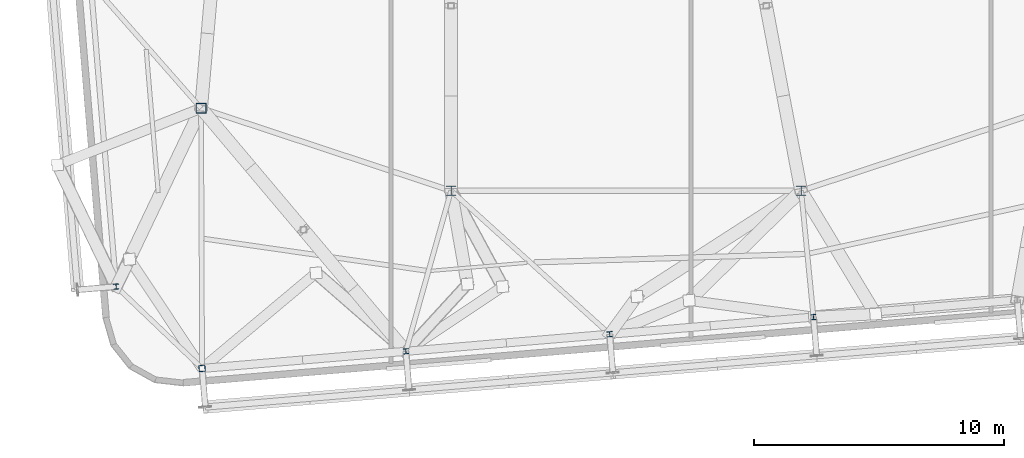
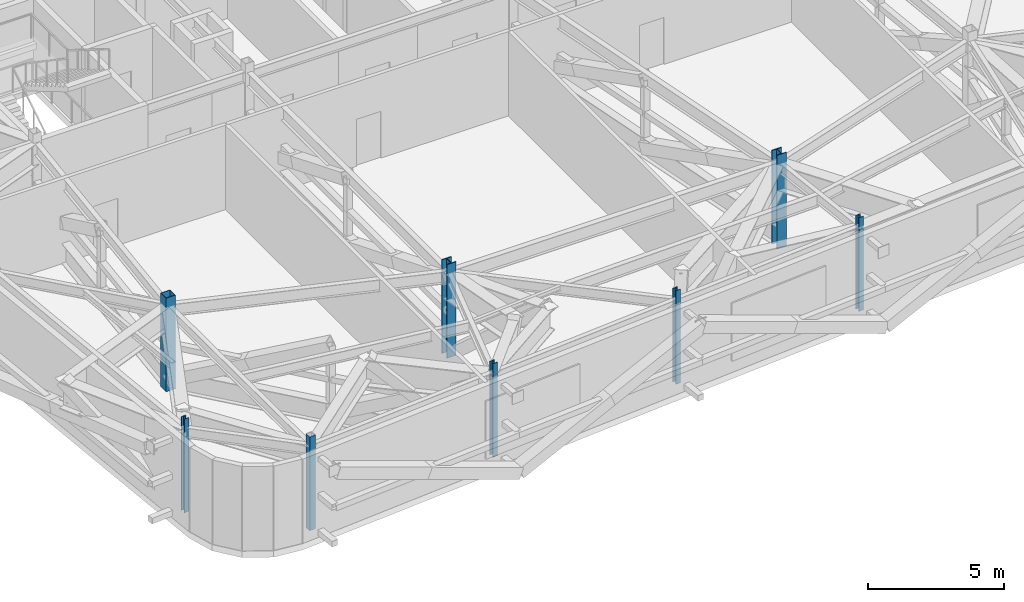
# One storey, part 1 of 26: 8 columns.
"""IFC4 building model written with IfcOpenShell, lengths in metres."""

from ifc_helpers import new_model, si_unit, direction, frame, origin, origin_2d, place, context, subcontext, project, spatial, hollow_rectangle, i_section, extrude, source, transform, mapped, material, material_profile, profile_set, type_object, element, save


model = new_model("IFC4")

# Units and contexts
model_context = context("Model", 3, precision=1e-05, world=origin(), true_north=direction((0.0, 1.0)))
body_context = subcontext(model_context, "Body", "Model", "MODEL_VIEW")
ifc_project = project(units=[si_unit("LENGTHUNIT", "METRE"), si_unit("AREAUNIT", "SQUARE_METRE"), si_unit("VOLUMEUNIT", "CUBIC_METRE"), si_unit("PLANEANGLEUNIT", "RADIAN"), si_unit("MASSUNIT", "GRAM", prefix="KILO")], contexts=[model_context])

# Site, building, storey
site_placement = place(None, origin())
site = spatial("IfcSite", under=ifc_project, at=site_placement, CompositionType="ELEMENT")
building_placement = place(site_placement, origin())
building = spatial("IfcBuilding", under=site, at=building_placement, Name="Taldren Reach Tower", CompositionType="ELEMENT")
storey_placement = place(building_placement, frame((0.0, 0.0, 207.199951171875)))
storey = spatial("IfcBuildingStorey", under=building, at=storey_placement, Name="L63", CompositionType="ELEMENT", Elevation=207.199951171875)

# Columns
ifc_material_1 = material(Name="Steel Gr 450 (C450L0)", Category="steel")
ifc_material_profile_1 = material_profile(ifc_material_1, hollow_rectangle(XDim=0.39990234375, YDim=0.39990234375, WallThickness=0.01611328125, at=origin_2d()), Name="400x400x16.0SHS")
ifc_profile_set_1 = profile_set([ifc_material_profile_1], Name="Steel Gr 450 (C450L0)")
column_type_1 = type_object("IfcColumnType", Name="COL-SHS400", PredefinedType="COLUMN", material=ifc_profile_set_1)
shared_shape_1 = source(origin(), body_context, "Body", "SweptSolid", [
    extrude(hollow_rectangle(XDim=0.39990234375, YDim=0.39990234375, WallThickness=0.01611328125, at=origin_2d()), origin(), (0.0, 0.0, 1.0), 4.199951171875),
])
column_1_placement = place(storey_placement, frame((18.0, 12.5, 0.0), z_axis=(0.0, 0.0, 1.0), x_axis=(1.0, 0.0, 0.0)))
element("IfcColumn", 1, at=column_1_placement, inside=storey, type_object=column_type_1, Name="Mega column MC-SW L63", PredefinedType="COLUMN", context=body_context, shape_type="MappedRepresentation", body=[
    mapped(shared_shape_1, transform((0.0, 0.0, 0.0), scale=1.0)),
])
ifc_material_2 = material(Name="Steel Gr 350 (350PLUS)", Category="steel")
ifc_material_profile_2 = material_profile(ifc_material_2, i_section(OverallWidth=0.39990234375, OverallDepth=0.39599609375, WebThickness=0.02197265625, FlangeThickness=0.033935546875, at=origin_2d()), Name="400WC270")
ifc_profile_set_2 = profile_set([ifc_material_profile_2], Name="Steel Gr 350 (350PLUS)")
column_type_2 = type_object("IfcColumnType", Name="COL-WC400", PredefinedType="COLUMN", material=ifc_profile_set_2)
shared_shape_2 = source(origin(), body_context, "Body", "SweptSolid", [
    extrude(i_section(OverallWidth=0.39990234375, OverallDepth=0.39599609375, WebThickness=0.02197265625, FlangeThickness=0.033935546875, at=origin_2d()), origin(), (0.0, 0.0, 1.0), 4.199951171875),
])
for number, where, z_axis, x_axis, name in (
    (2, (28.0, 9.199951171875, 0.0), (0.0, 0.0, 1.0), (1.0, 0.0, 0.0), "Mega column MC-PJW L63"),
    (3, (42.0, 9.199951171875, 0.0), (0.0, 0.0, 1.0), (1.0, 0.0, 0.0), "Mega column MC-PJE L63"),
):
    element("IfcColumn", number, at=place(storey_placement, frame(where, z_axis=z_axis, x_axis=x_axis)), inside=storey, type_object=column_type_2, Name=name, PredefinedType="COLUMN", context=body_context, shape_type="MappedRepresentation", body=[
        mapped(shared_shape_2, transform((0.0, 0.0, 0.0), scale=1.0)),
    ])
ifc_material_3 = material(Name="Steel Gr 350 (C350L0)", Category="steel")
ifc_material_profile_3 = material_profile(ifc_material_3, hollow_rectangle(XDim=0.25, YDim=0.25, WallThickness=0.010009765625, at=origin_2d()), Name="250x250x10.0SHS")
ifc_profile_set_3 = profile_set([ifc_material_profile_3], Name="Steel Gr 350 (C350L0)")
column_type_3 = type_object("IfcColumnType", Name="COL-SHS250", PredefinedType="COLUMN", material=ifc_profile_set_3)
shared_shape_3 = source(origin(), body_context, "Body", "SweptSolid", [
    extrude(hollow_rectangle(XDim=0.25, YDim=0.25, WallThickness=0.010009765625, at=origin_2d()), origin(), (0.0, 0.0, 1.0), 4.199951171875),
])
column_2_placement = place(storey_placement, frame((18.03955078125, 2.093994140625, 0.0), z_axis=(0.0, 0.0, 1.0), x_axis=(0.99649285925, 0.083677843332, 0.0)))
element("IfcColumn", 4, at=column_2_placement, inside=storey, type_object=column_type_3, Name="Block B4 perimeter column S1 L63", PredefinedType="COLUMN", context=body_context, shape_type="MappedRepresentation", body=[
    mapped(shared_shape_3, transform((0.0, 0.0, 0.0), scale=1.0)),
])
ifc_material_profile_4 = material_profile(ifc_material_2, i_section(OverallWidth=0.205078125, OverallDepth=0.2099609375, WebThickness=0.00927734375, FlangeThickness=0.01416015625, at=origin_2d()), Name="200UC59.5")
ifc_profile_set_4 = profile_set([ifc_material_profile_4], Name="Steel Gr 350 (350PLUS)")
column_type_4 = type_object("IfcColumnType", Name="COL-UC200", PredefinedType="COLUMN", material=ifc_profile_set_4)
shared_shape_4 = source(origin(), body_context, "Body", "SweptSolid", [
    extrude(i_section(OverallWidth=0.205078125, OverallDepth=0.2099609375, WebThickness=0.00927734375, FlangeThickness=0.01416015625, at=origin_2d()), origin(), (0.0, 0.0, 1.0), 4.199951171875),
])
for number, where, z_axis, x_axis, name in (
    (5, (26.19091796875, 2.778564453125, 0.0), (0.0, 0.0, 1.0), (0.99649285925, 0.083677843332, 0.0), "Block B4 perimeter column S2 L63"),
    (6, (34.34228515625, 3.462890625, 0.0), (0.0, 0.0, 1.0), (0.99649285925, 0.083677843332, 0.0), "Block B4 perimeter column S3 L63"),
    (7, (42.49365234375, 4.1474609375, 0.0), (0.0, 0.0, 1.0), (0.99649285925, 0.083677843332, 0.0), "Block B4 perimeter column S4 L63"),
    (8, (14.603759765625, 5.367919921875, 0.0), (0.0, 0.0, 1.0), (0.99649285925, 0.083677843332, 0.0), "Block B4 perimeter column W1 L63"),
):
    element("IfcColumn", number, at=place(storey_placement, frame(where, z_axis=z_axis, x_axis=x_axis)), inside=storey, type_object=column_type_4, Name=name, PredefinedType="COLUMN", context=body_context, shape_type="MappedRepresentation", body=[
        mapped(shared_shape_4, transform((0.0, 0.0, 0.0), scale=1.0)),
    ])

save(model, "model.ifc")
